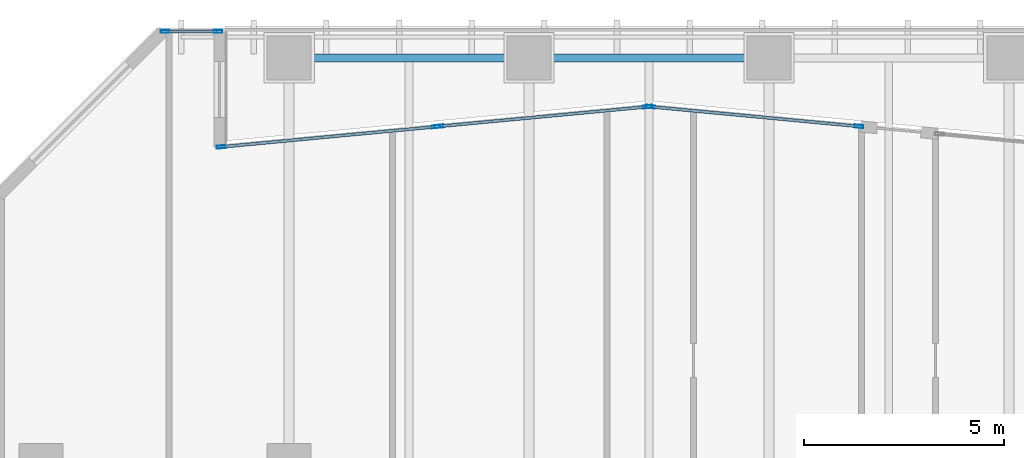
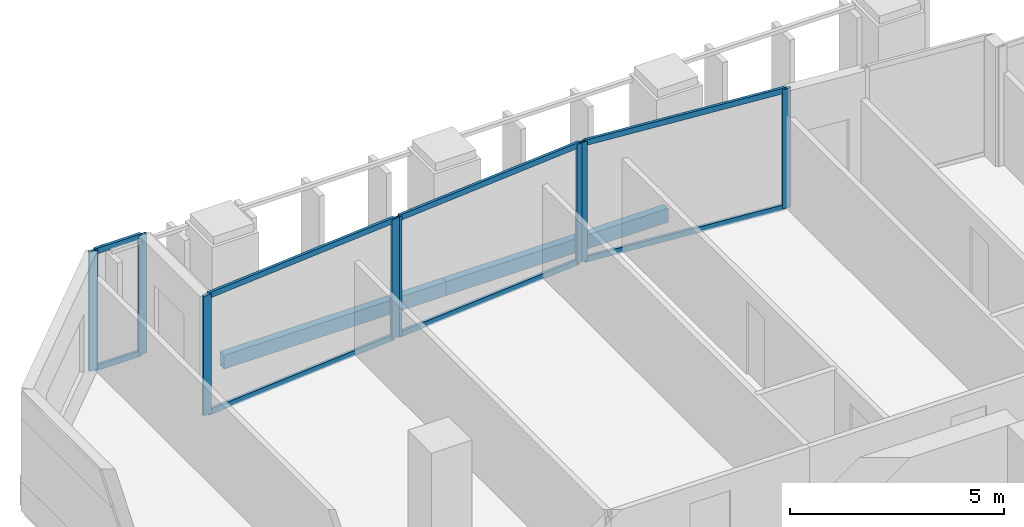
# One storey, part 9 of 31: 16 members, 2 beams, 4 elements without a shape of their own.
"""IFC4 building model written with IfcOpenShell, lengths in metres."""

from ifc_helpers import new_model, si_unit, direction, frame, origin, origin_2d, place, context, subcontext, project, spatial, hollow_rectangle, extrude, material, layer, layer_set, material_profile, profile_set, type_object, element, aggregate, save


model = new_model("IFC4")

# Units and contexts
model_context = context("Model", 3, precision=1e-05, world=origin(), true_north=direction((0.0, 1.0)))
body_context = subcontext(model_context, "Body", "Model", "MODEL_VIEW")
ifc_project = project(units=[si_unit("LENGTHUNIT", "METRE"), si_unit("AREAUNIT", "SQUARE_METRE"), si_unit("VOLUMEUNIT", "CUBIC_METRE"), si_unit("PLANEANGLEUNIT", "RADIAN"), si_unit("MASSUNIT", "GRAM", prefix="KILO")], contexts=[model_context])

# Site, building, storey
site_placement = place(None, origin())
site = spatial("IfcSite", under=ifc_project, at=site_placement, CompositionType="ELEMENT")
building_placement = place(site_placement, origin())
building = spatial("IfcBuilding", under=site, at=building_placement, Name="Tanjung Sevakor Pilgrim Tower", CompositionType="ELEMENT")
storey_placement = place(building_placement, frame((0.0, 0.0, 58.739990234375)))
storey = spatial("IfcBuildingStorey", under=building, at=storey_placement, Name="L16", CompositionType="ELEMENT", Elevation=58.739990234375)

# Beams
ifc_material_1 = material(Name="Steel S355J2", Category="steel")
ifc_material_profile_1 = material_profile(ifc_material_1, hollow_rectangle(XDim=0.199951171875, YDim=0.39990234375, WallThickness=0.01611328125, at=origin_2d()))
ifc_profile_set_1 = profile_set([ifc_material_profile_1], Name="Steel S355J2")
beam_type = type_object("IfcBeamType", Name="BM-B-SP2-RHS_400x200x16", PredefinedType="SPANDREL", material=ifc_profile_set_1)
for number, where, z_axis, x_axis, name in (
    (1, (24.0, 58.800048828125, -0.419921875), (1.0, 0.0, 0.0), (0.0, 1.0, 0.0), "L16 Spandrel MAIN N-02"),
    (2, (30.0, 58.800048828125, -0.419921875), (1.0, 0.0, 0.0), (0.0, 1.0, 0.0), "L16 Spandrel MAIN N-04"),
):
    element("IfcBeam", number, at=place(storey_placement, frame(where, z_axis=z_axis, x_axis=x_axis)), inside=storey, type_object=beam_type, Name=name, PredefinedType="SPANDREL", context=body_context, shape_type="SweptSolid", body=[
        extrude(hollow_rectangle(XDim=0.199951171875, YDim=0.39990234375, WallThickness=0.01611328125, at=origin_2d()), origin(), (0.0, 0.0, 1.0), 6.0),
    ])

# Curtain wall, members
ifc_material_2 = material(Name="Aluminium 6063-T6 and Low-E Glass", Category="aluminium")
ifc_layer = layer(ifc_material_2, 0.199951171875)
ifc_layer_set = layer_set([ifc_layer], Name="CW-SYS-PRAY")
curtain_wall_type = type_object("IfcCurtainWallType", Name="CW-SYS-PRAY", PredefinedType="NOTDEFINED", material=ifc_layer_set)
curtain_wall_1_placement = place(storey_placement, origin())
curtain_wall_1 = element("IfcCurtainWall", 3, at=curtain_wall_1_placement, inside=storey, type_object=curtain_wall_type, Name="L16 Curtain Wall CW-PRY-L16-28", PredefinedType="NOTDEFINED")
ifc_material_3 = material(Name="Aluminium 6063-T6", Category="aluminium")
ifc_material_profile_2 = material_profile(ifc_material_3, hollow_rectangle(XDim=0.074951171875, YDim=0.219970703125, WallThickness=0.0048828125, at=origin_2d()))
ifc_profile_set_2 = profile_set([ifc_material_profile_2], Name="Aluminium 6063-T6")
member_type_1 = type_object("IfcMemberType", Name="TYPE-CWM-2", PredefinedType="MULLION", material=ifc_profile_set_2)
member_1_placement = place(storey_placement, frame((38.24951171875, 57.084228515625, 0.0), z_axis=(0.0, 0.0, 1.0), x_axis=(-0.093929285798, -0.995578871446, 0.0)))
member_1 = element("IfcMember", 4, at=member_1_placement, type_object=member_type_1, Name="CW-PRY mullion 1", PredefinedType="MULLION", context=body_context, shape_type="SweptSolid", body=[
    extrude(hollow_rectangle(XDim=0.074951171875, YDim=0.219970703125, WallThickness=0.0048828125, at=origin_2d()), origin(), (0.0, 0.0, 1.0), 3.409912109375),
])
member_2_placement = place(storey_placement, frame((33.037353515625, 57.575927734375, 0.0), z_axis=(0.0, 0.0, 1.0), x_axis=(-0.093929285798, -0.995578871446, 0.0)))
member_2 = element("IfcMember", 5, at=member_2_placement, type_object=member_type_1, Name="CW-PRY mullion 2", PredefinedType="MULLION", context=body_context, shape_type="SweptSolid", body=[
    extrude(hollow_rectangle(XDim=0.074951171875, YDim=0.219970703125, WallThickness=0.0048828125, at=origin_2d()), origin(), (0.0, 0.0, 1.0), 3.409912109375),
])

curtain_wall_2_placement = place(storey_placement, origin())
curtain_wall_2 = element("IfcCurtainWall", 6, at=curtain_wall_2_placement, inside=storey, type_object=curtain_wall_type, Name="L16 Curtain Wall CW-PRY-L16-29", PredefinedType="NOTDEFINED")
member_3_placement = place(storey_placement, frame((32.962646484375, 57.575927734375, 0.0), z_axis=(0.0, 0.0, 1.0), x_axis=(0.093929285798, -0.995578871446, 0.0)))
member_3 = element("IfcMember", 7, at=member_3_placement, type_object=member_type_1, Name="CW-PRY mullion 1", PredefinedType="MULLION", context=body_context, shape_type="SweptSolid", body=[
    extrude(hollow_rectangle(XDim=0.074951171875, YDim=0.219970703125, WallThickness=0.0048828125, at=origin_2d()), origin(), (0.0, 0.0, 1.0), 3.409912109375),
])
member_4_placement = place(storey_placement, frame((27.75048828125, 57.084228515625, 0.0), z_axis=(0.0, 0.0, 1.0), x_axis=(0.093929285798, -0.995578871446, 0.0)))
member_4 = element("IfcMember", 8, at=member_4_placement, type_object=member_type_1, Name="CW-PRY mullion 2", PredefinedType="MULLION", context=body_context, shape_type="SweptSolid", body=[
    extrude(hollow_rectangle(XDim=0.074951171875, YDim=0.219970703125, WallThickness=0.0048828125, at=origin_2d()), origin(), (0.0, 0.0, 1.0), 3.409912109375),
])

curtain_wall_3_placement = place(storey_placement, origin())
curtain_wall_3 = element("IfcCurtainWall", 9, at=curtain_wall_3_placement, inside=storey, type_object=curtain_wall_type, Name="L16 Curtain Wall CW-PRY-L16-30", PredefinedType="NOTDEFINED")
member_5_placement = place(storey_placement, frame((27.67578125, 57.0771484375, 0.0), z_axis=(0.0, 0.0, 1.0), x_axis=(0.093914741568, -0.995580243534, 0.0)))
member_5 = element("IfcMember", 10, at=member_5_placement, type_object=member_type_1, Name="CW-PRY mullion 1", PredefinedType="MULLION", context=body_context, shape_type="SweptSolid", body=[
    extrude(hollow_rectangle(XDim=0.074951171875, YDim=0.219970703125, WallThickness=0.0048828125, at=origin_2d()), origin(), (0.0, 0.0, 1.0), 3.409912109375),
])
member_6_placement = place(storey_placement, frame((22.29736328125, 56.56982421875, 0.0), z_axis=(0.0, 0.0, 1.0), x_axis=(0.093914741568, -0.995580243534, 0.0)))
member_6 = element("IfcMember", 11, at=member_6_placement, type_object=member_type_1, Name="CW-PRY mullion 2", PredefinedType="MULLION", context=body_context, shape_type="SweptSolid", body=[
    extrude(hollow_rectangle(XDim=0.074951171875, YDim=0.219970703125, WallThickness=0.0048828125, at=origin_2d()), origin(), (0.0, 0.0, 1.0), 3.409912109375),
])

curtain_wall_4_placement = place(storey_placement, origin())
curtain_wall_4 = element("IfcCurtainWall", 12, at=curtain_wall_4_placement, inside=storey, type_object=curtain_wall_type, Name="L16 Curtain Wall CW-PRY-L16-32", PredefinedType="NOTDEFINED")
member_7_placement = place(storey_placement, frame((22.222412109375, 59.4599609375, 0.0), z_axis=(0.0, 0.0, 1.0), x_axis=(0.0, -1.0, 0.0)))
member_7 = element("IfcMember", 13, at=member_7_placement, type_object=member_type_1, Name="CW-PRY mullion 1", PredefinedType="MULLION", context=body_context, shape_type="SweptSolid", body=[
    extrude(hollow_rectangle(XDim=0.074951171875, YDim=0.219970703125, WallThickness=0.0048828125, at=origin_2d()), origin(), (0.0, 0.0, 1.0), 3.409912109375),
])
member_8_placement = place(storey_placement, frame((20.8955078125, 59.4599609375, 0.0), z_axis=(0.0, 0.0, 1.0), x_axis=(0.0, -1.0, 0.0)))
member_8 = element("IfcMember", 14, at=member_8_placement, type_object=member_type_1, Name="CW-PRY mullion 2", PredefinedType="MULLION", context=body_context, shape_type="SweptSolid", body=[
    extrude(hollow_rectangle(XDim=0.074951171875, YDim=0.219970703125, WallThickness=0.0048828125, at=origin_2d()), origin(), (0.0, 0.0, 1.0), 3.409912109375),
])

# Member
ifc_material_4 = material(Name="Aluminium 6063-T6", Category="aluminium")
ifc_material_profile_3 = material_profile(ifc_material_4, hollow_rectangle(XDim=0.074951171875, YDim=0.159912109375, WallThickness=0.00439453125, at=origin_2d()))
ifc_profile_set_3 = profile_set([ifc_material_profile_3], Name="Aluminium 6063-T6")
member_type_2 = type_object("IfcMemberType", Name="TYPE-CWT-2", PredefinedType="USERDEFINED", material=ifc_profile_set_3)
member_9_placement = place(storey_placement, frame((38.212158203125, 57.087646484375, 0.03759765625), z_axis=(-0.995580337391, 0.093913746601, 0.0), x_axis=(-0.093913746601, -0.995580337391, 0.0)))
member_9 = element("IfcMember", 15, at=member_9_placement, type_object=member_type_2, Name="CW-PRY transom 1.1", ObjectType="TRANSOM", PredefinedType="USERDEFINED", context=body_context, shape_type="SweptSolid", body=[
    extrude(hollow_rectangle(XDim=0.074951171875, YDim=0.159912109375, WallThickness=0.00439453125, at=origin_2d()), origin(), (0.0, 0.0, 1.0), 5.16015625),
])

member_10_placement = place(storey_placement, frame((38.212158203125, 57.087646484375, 3.37255859375), z_axis=(-0.995580337391, 0.093913746601, 0.0), x_axis=(-0.093913746601, -0.995580337391, 0.0)))
member_10 = element("IfcMember", 16, at=member_10_placement, type_object=member_type_2, Name="CW-PRY transom 1.2", ObjectType="TRANSOM", PredefinedType="USERDEFINED", context=body_context, shape_type="SweptSolid", body=[
    extrude(hollow_rectangle(XDim=0.074951171875, YDim=0.159912109375, WallThickness=0.00439453125, at=origin_2d()), origin(), (0.0, 0.0, 1.0), 5.16015625),
])

aggregate(curtain_wall_1, [member_1, member_2, member_9, member_10])

member_11_placement = place(storey_placement, frame((32.92529296875, 57.572265625, 0.03759765625), z_axis=(-0.995580337391, -0.093913746601, 0.0), x_axis=(0.093913746601, -0.995580337391, 0.0)))
member_11 = element("IfcMember", 17, at=member_11_placement, type_object=member_type_2, Name="CW-PRY transom 1.1", ObjectType="TRANSOM", PredefinedType="USERDEFINED", context=body_context, shape_type="SweptSolid", body=[
    extrude(hollow_rectangle(XDim=0.074951171875, YDim=0.159912109375, WallThickness=0.00439453125, at=origin_2d()), origin(), (0.0, 0.0, 1.0), 5.16015625),
])

member_12_placement = place(storey_placement, frame((32.92529296875, 57.572265625, 3.37255859375), z_axis=(-0.995580337391, -0.093913746601, 0.0), x_axis=(0.093913746601, -0.995580337391, 0.0)))
member_12 = element("IfcMember", 18, at=member_12_placement, type_object=member_type_2, Name="CW-PRY transom 1.2", ObjectType="TRANSOM", PredefinedType="USERDEFINED", context=body_context, shape_type="SweptSolid", body=[
    extrude(hollow_rectangle(XDim=0.074951171875, YDim=0.159912109375, WallThickness=0.00439453125, at=origin_2d()), origin(), (0.0, 0.0, 1.0), 5.16015625),
])

aggregate(curtain_wall_2, [member_3, member_4, member_11, member_12])

member_13_placement = place(storey_placement, frame((27.638427734375, 57.073486328125, 0.03759765625), z_axis=(-0.995581362185, -0.093902882117, 0.0), x_axis=(0.093902882117, -0.995581362185, 0.0)))
member_13 = element("IfcMember", 19, at=member_13_placement, type_object=member_type_2, Name="CW-PRY transom 1.1", ObjectType="TRANSOM", PredefinedType="USERDEFINED", context=body_context, shape_type="SweptSolid", body=[
    extrude(hollow_rectangle(XDim=0.074951171875, YDim=0.159912109375, WallThickness=0.00439453125, at=origin_2d()), origin(), (0.0, 0.0, 1.0), 5.3271484375),
])

member_14_placement = place(storey_placement, frame((27.638427734375, 57.073486328125, 3.37255859375), z_axis=(-0.995581362185, -0.093902882117, 0.0), x_axis=(0.093902882117, -0.995581362185, 0.0)))
member_14 = element("IfcMember", 20, at=member_14_placement, type_object=member_type_2, Name="CW-PRY transom 1.2", ObjectType="TRANSOM", PredefinedType="USERDEFINED", context=body_context, shape_type="SweptSolid", body=[
    extrude(hollow_rectangle(XDim=0.074951171875, YDim=0.159912109375, WallThickness=0.00439453125, at=origin_2d()), origin(), (0.0, 0.0, 1.0), 5.3271484375),
])

aggregate(curtain_wall_3, [member_5, member_6, member_13, member_14])

member_15_placement = place(storey_placement, frame((22.18505859375, 59.4599609375, 0.03759765625), z_axis=(-1.0, 0.0, 0.0), x_axis=(0.0, -1.0, 0.0)))
member_15 = element("IfcMember", 21, at=member_15_placement, type_object=member_type_2, Name="CW-PRY transom 1.1", ObjectType="TRANSOM", PredefinedType="USERDEFINED", context=body_context, shape_type="SweptSolid", body=[
    extrude(hollow_rectangle(XDim=0.074951171875, YDim=0.159912109375, WallThickness=0.00439453125, at=origin_2d()), origin(), (0.0, 0.0, 1.0), 1.251953125),
])

member_16_placement = place(storey_placement, frame((22.18505859375, 59.4599609375, 3.37255859375), z_axis=(-1.0, 0.0, 0.0), x_axis=(0.0, -1.0, 0.0)))
member_16 = element("IfcMember", 22, at=member_16_placement, type_object=member_type_2, Name="CW-PRY transom 1.2", ObjectType="TRANSOM", PredefinedType="USERDEFINED", context=body_context, shape_type="SweptSolid", body=[
    extrude(hollow_rectangle(XDim=0.074951171875, YDim=0.159912109375, WallThickness=0.00439453125, at=origin_2d()), origin(), (0.0, 0.0, 1.0), 1.251953125),
])

aggregate(curtain_wall_4, [member_7, member_8, member_15, member_16])

save(model, "model.ifc")
